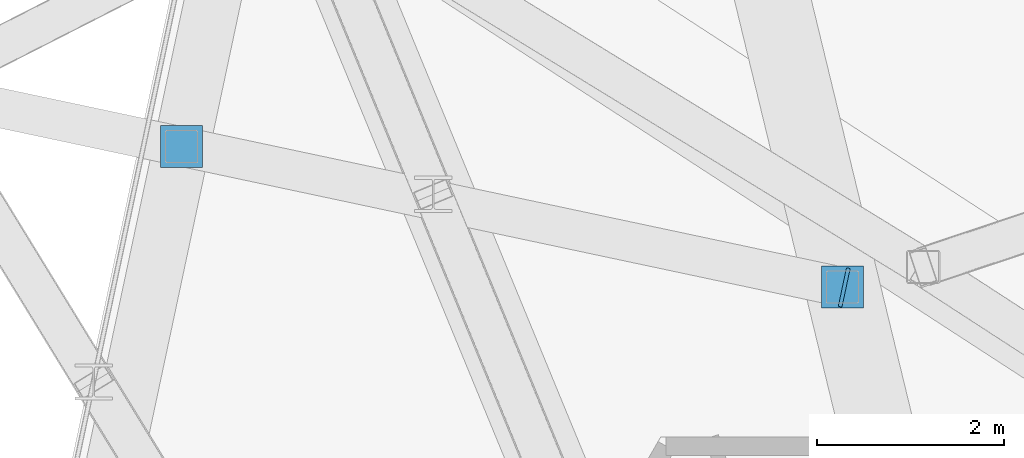
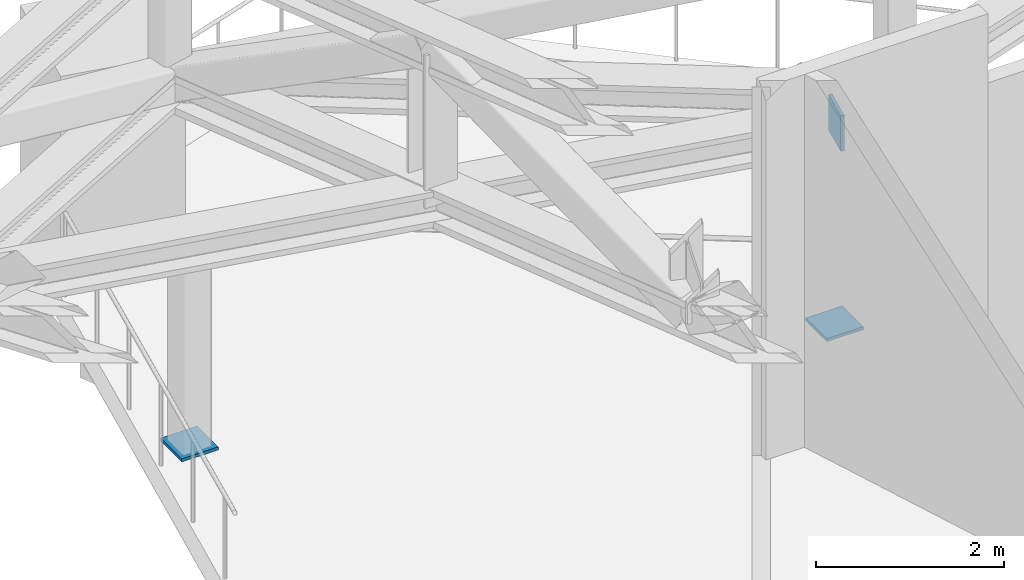
# One storey, part 19 of 24: 3 discrete accessories.
"""IFC4 building model written with IfcOpenShell, lengths in metres."""

from ifc_helpers import new_model, si_unit, direction, frame, origin, origin_2d, place, context, subcontext, project, spatial, rectangle, extrude, material, layer, layer_set, type_object, element, save


model = new_model("IFC4")

# Units and contexts
model_context = context("Model", 3, precision=1e-05, world=origin(), true_north=direction((0.0, 1.0)))
body_context = subcontext(model_context, "Body", "Model", "MODEL_VIEW")
ifc_project = project(units=[si_unit("LENGTHUNIT", "METRE"), si_unit("AREAUNIT", "SQUARE_METRE"), si_unit("VOLUMEUNIT", "CUBIC_METRE"), si_unit("PLANEANGLEUNIT", "RADIAN"), si_unit("MASSUNIT", "GRAM", prefix="KILO")], contexts=[model_context])

# Site, building, storey
site_placement = place(None, origin())
site = spatial("IfcSite", under=ifc_project, at=site_placement, CompositionType="ELEMENT")
building_placement = place(site_placement, origin())
building = spatial("IfcBuilding", under=site, at=building_placement, Name="Tramontana Tower", CompositionType="ELEMENT")
storey_placement = place(building_placement, frame((0.0, 0.0, 120.39990234375)))
storey = spatial("IfcBuildingStorey", under=building, at=storey_placement, Name="L27", CompositionType="ELEMENT", Elevation=120.39990234375)

# Discrete accessories
ifc_material_1 = material(Name="Steel ASTM A572 Grade 50", Category="steel")
ifc_layer_1 = layer(ifc_material_1, 0.0400390625)
ifc_layer_set_1 = layer_set([ifc_layer_1], Name="Base plate 450X450X40")
discrete_accessory_type_1 = type_object("IfcDiscreteAccessoryType", Name="Base plate 450X450X40", PredefinedType="ANCHORPLATE", material=ifc_layer_set_1)
for number, where, z_axis, x_axis, name in (
    (1, (-12.690673828125, 24.7060546875, 0.0), (0.0, 0.0, 1.0), (1.0, 0.0, 0.0), "Transfer truss post base plate C3K1.1"),
    (2, (-5.6201171875, 23.203125, 0.0), (0.0, 0.0, 1.0), (1.0, 0.0, 0.0), "Transfer truss post base plate C3K1.2"),
):
    element("IfcDiscreteAccessory", number, at=place(storey_placement, frame(where, z_axis=z_axis, x_axis=x_axis)), inside=storey, type_object=discrete_accessory_type_1, Name=name, PredefinedType="ANCHORPLATE", context=body_context, shape_type="SweptSolid", body=[
        extrude(rectangle(XDim=0.449951171875, YDim=0.449951171875, at=origin_2d()), origin(), (0.0, 0.0, 1.0), 0.0400390625),
    ])
ifc_material_2 = material(Name="Steel ASTM A572 Grade 50", Category="steel")
ifc_layer_2 = layer(ifc_material_2, 0.0400390625)
ifc_layer_set_2 = layer_set([ifc_layer_2], Name="End plate 422X464X40")
discrete_accessory_type_2 = type_object("IfcDiscreteAccessoryType", Name="End plate 422X464X40", PredefinedType="ANCHORPLATE", material=ifc_layer_set_2)
discrete_accessory_placement = place(storey_placement, frame((-5.6005859375, 23.198974609375, 2.39990234375), z_axis=(0.0, 0.0, 1.0), x_axis=(-0.207911690818, -0.978147600734, 0.0)))
element("IfcDiscreteAccessory", 3, at=discrete_accessory_placement, inside=storey, type_object=discrete_accessory_type_2, Name="Transfer truss girder end plate C3K1.2", PredefinedType="ANCHORPLATE", context=body_context, shape_type="SweptSolid", body=[
    extrude(rectangle(XDim=0.42236328125, YDim=0.0400390625, at=origin_2d()), origin(), (0.0, 0.0, 1.0), 0.463623046875),
])

save(model, "model.ifc")
